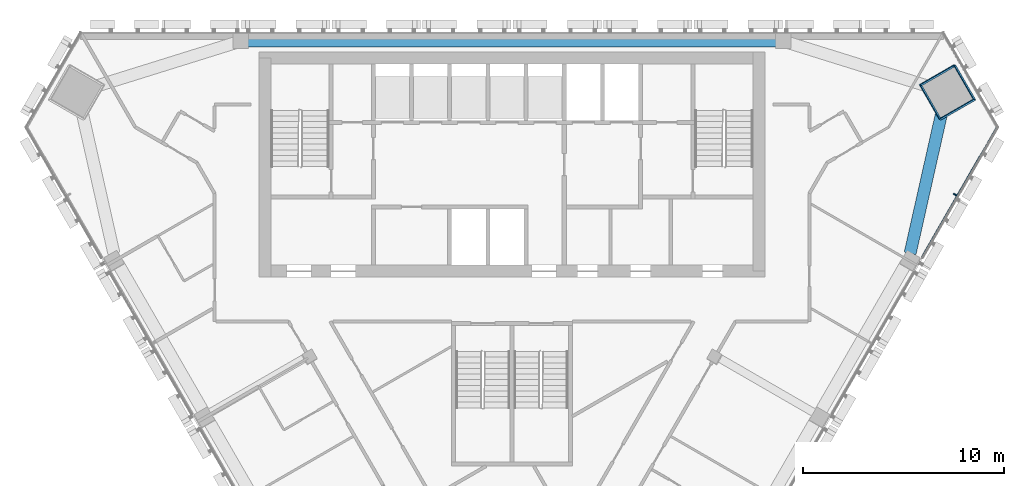
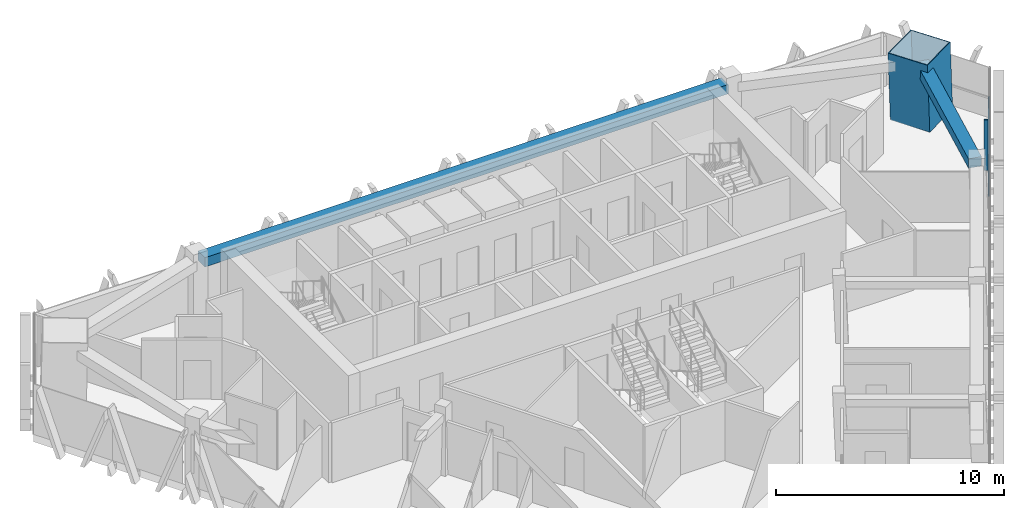
# One storey, part 6 of 14: 3 members, 2 beams, 1 element without a shape of its own.
"""IFC4 building model written with IfcOpenShell, lengths in metres."""

from ifc_helpers import new_model, si_unit, direction, frame, origin, origin_2d, place, context, subcontext, project, spatial, rectangle, hollow_rectangle, extrude, material, layer, layer_set, material_profile, profile_set, type_object, element, aggregate, save


model = new_model("IFC4")

# Units and contexts
model_context = context("Model", 3, precision=1e-05, world=origin(), true_north=direction((0.0, 1.0)))
body_context = subcontext(model_context, "Body", "Model", "MODEL_VIEW")
ifc_project = project(units=[si_unit("LENGTHUNIT", "METRE"), si_unit("AREAUNIT", "SQUARE_METRE"), si_unit("VOLUMEUNIT", "CUBIC_METRE"), si_unit("PLANEANGLEUNIT", "RADIAN"), si_unit("MASSUNIT", "GRAM", prefix="KILO")], contexts=[model_context])

# Site, building, storey
site_placement = place(None, origin())
site = spatial("IfcSite", under=ifc_project, at=site_placement, CompositionType="ELEMENT")
building_placement = place(site_placement, origin())
building = spatial("IfcBuilding", under=site, at=building_placement, Name="Altiplano Prism Tower", CompositionType="ELEMENT")
storey_placement = place(building_placement, frame((0.0, 0.0, 239.199951171875)))
storey = spatial("IfcBuildingStorey", under=building, at=storey_placement, Name="L61", CompositionType="ELEMENT", Elevation=239.199951171875)

# Curtain wall, members
ifc_material_1 = material(Name="Aluminium and glass", Category="aluminium")
ifc_layer = layer(ifc_material_1, 0.280029296875)
ifc_layer_set = layer_set([ifc_layer], Name="Aluminium and glass")
curtain_wall_type = type_object("IfcCurtainWallType", Name="CW1 typical co-living unitised curtain wall", PredefinedType="NOTDEFINED", material=ifc_layer_set)
curtain_wall_placement = place(storey_placement, origin())
curtain_wall = element("IfcCurtainWall", 1, at=curtain_wall_placement, inside=storey, type_object=curtain_wall_type, Name="CW1 curtain wall south-east face L61", PredefinedType="NOTDEFINED")
ifc_material_2 = material(Name="Aluminium", Category="aluminium")
ifc_material_profile_1 = material_profile(ifc_material_2, rectangle(XDim=0.179931640625, YDim=0.06494140625, at=origin_2d()), Name="CW1 mullion 65 x 180")
ifc_profile_set_1 = profile_set([ifc_material_profile_1], Name="Aluminium")
member_type_1 = type_object("IfcMemberType", Name="CW1 mullion 65 x 180", PredefinedType="MULLION", material=ifc_profile_set_1)
member_1_placement = place(storey_placement, frame((107.052001953125, 96.908447265625, 0.0), z_axis=(0.0, 0.0, 1.0), x_axis=(-0.866025402772, 0.500000001753, 0.0)))
member_1 = element("IfcMember", 2, at=member_1_placement, type_object=member_type_1, Name="CW1 mullion", PredefinedType="MULLION", context=body_context, shape_type="SweptSolid", body=[
    extrude(rectangle(XDim=0.179931640625, YDim=0.06494140625, at=origin_2d()), origin(), (0.0, 0.0, 1.0), 2.699951171875),
])
ifc_material_profile_2 = material_profile(ifc_material_2, rectangle(XDim=0.06005859375, YDim=0.080078125, at=origin_2d()), Name="CW1 transom 80 x 60")
ifc_profile_set_2 = profile_set([ifc_material_profile_2], Name="Aluminium")
member_type_2 = type_object("IfcMemberType", Name="CW1 transom 80 x 60", PredefinedType="USERDEFINED", material=ifc_profile_set_2)
member_2_placement = place(storey_placement, frame((105.38818359375, 93.78662109375, 1.10009765625), z_axis=(0.500015439409, 0.866016489654, 0.0), x_axis=(-0.866016489654, 0.500015439409, 0.0)))
member_2 = element("IfcMember", 3, at=member_2_placement, type_object=member_type_2, Name="CW1 transom", ObjectType="TRANSOM", PredefinedType="USERDEFINED", context=body_context, shape_type="SweptSolid", body=[
    extrude(rectangle(XDim=0.06005859375, YDim=0.080078125, at=origin_2d()), origin(), (0.0, 0.0, 1.0), 7.525634765625),
])
aggregate(curtain_wall, [member_1, member_2])

# Beams
ifc_material_3 = material(Name="Concrete C60/75", Category="concrete")
ifc_material_profile_3 = material_profile(ifc_material_3, rectangle(XDim=0.60009765625, YDim=0.5, at=origin_2d()), Name="Edge beam 600x500")
ifc_profile_set_3 = profile_set([ifc_material_profile_3], Name="Concrete C60/75")
beam_type = type_object("IfcBeamType", Name="Edge beam 600x500", PredefinedType="SPANDREL", material=ifc_profile_set_3)
beam_1_placement = place(storey_placement, frame((104.811767578125, 93.987548828125, 2.949951171875), z_axis=(0.219424836702, 0.975629407633, 0.0), x_axis=(-0.975629407633, 0.219424836702, 0.0)))
element("IfcBeam", 4, at=beam_1_placement, inside=storey, type_object=beam_type, Name="Edge beam P24-M2 L62", PredefinedType="SPANDREL", context=body_context, shape_type="SweptSolid", body=[
    extrude(rectangle(XDim=0.60009765625, YDim=0.5, at=origin_2d()), origin(), (0.0, 0.0, 1.0), 7.78076171875),
])
beam_2_placement = place(storey_placement, frame((98.2451171875, 104.550048828125, 2.949951171875), z_axis=(-1.0, 0.0, 0.0), x_axis=(0.0, -1.0, 0.0)))
element("IfcBeam", 5, at=beam_2_placement, inside=storey, type_object=beam_type, Name="Edge beam P01-P04 L62", PredefinedType="SPANDREL", context=body_context, shape_type="SweptSolid", body=[
    extrude(rectangle(XDim=0.60009765625, YDim=0.5, at=origin_2d()), origin(), (0.0, 0.0, 1.0), 26.490234375),
])

# Member
ifc_material_4 = material(Name="Steel S460", Category="steel")
ifc_material_profile_4 = material_profile(ifc_material_4, hollow_rectangle(XDim=2.0, YDim=2.0, WallThickness=0.0400390625, at=origin_2d()), Name="Mega column tube 2000")
ifc_profile_set_4 = profile_set([ifc_material_profile_4], Name="Steel S460")
member_type_3 = type_object("IfcMemberType", Name="Mega column tube 2000", PredefinedType="POST", material=ifc_profile_set_4)
member_3_placement = place(storey_placement, frame((106.719970703125, 101.984375, 0.0), z_axis=(-0.028334066552, 0.009286524205, 0.999555371723), x_axis=(0.498285552857, -0.866729299586, 0.022177219255)))
element("IfcMember", 6, at=member_3_placement, inside=storey, type_object=member_type_3, Name="Mega column tube M2 L61", PredefinedType="POST", context=body_context, shape_type="SweptSolid", body=[
    extrude(hollow_rectangle(XDim=2.0, YDim=2.0, WallThickness=0.0400390625, at=origin_2d()), origin(), (0.0, 0.0, 1.0), 3.601806640625),
])

save(model, "model.ifc")
